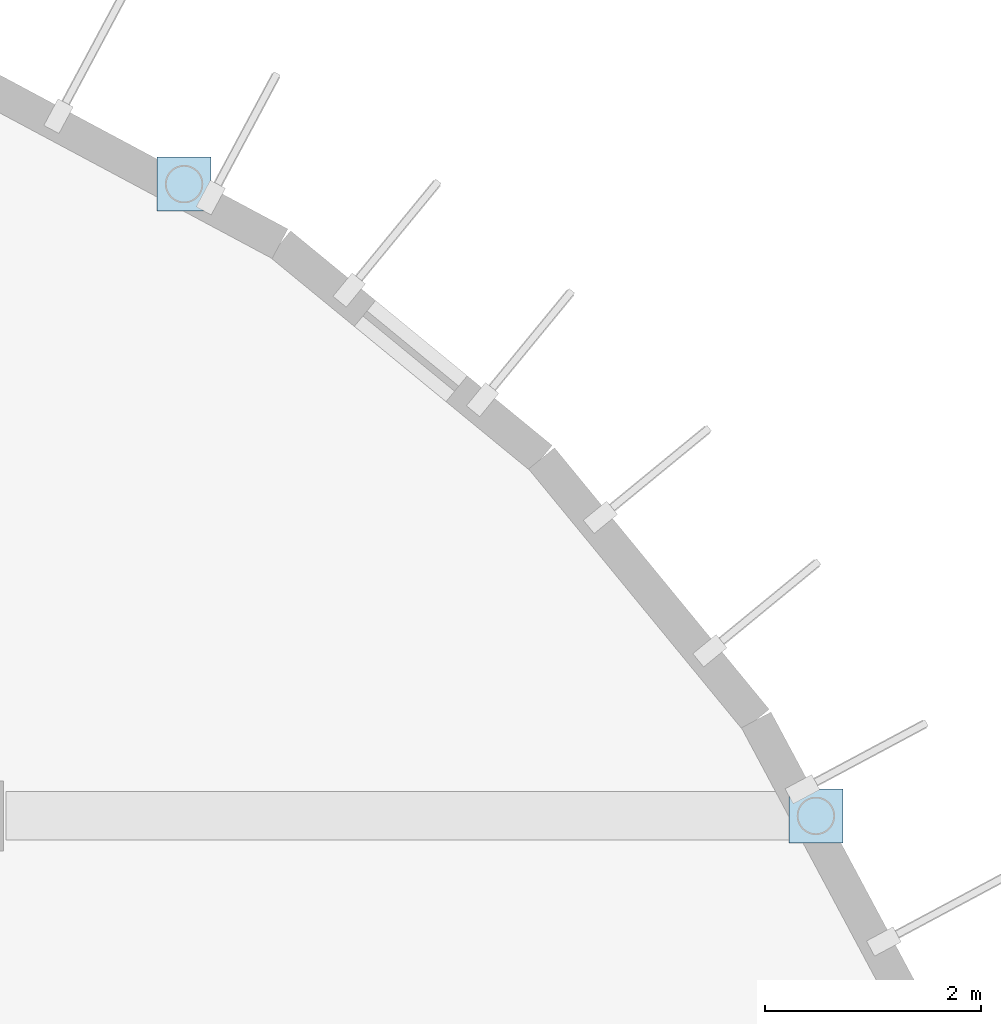
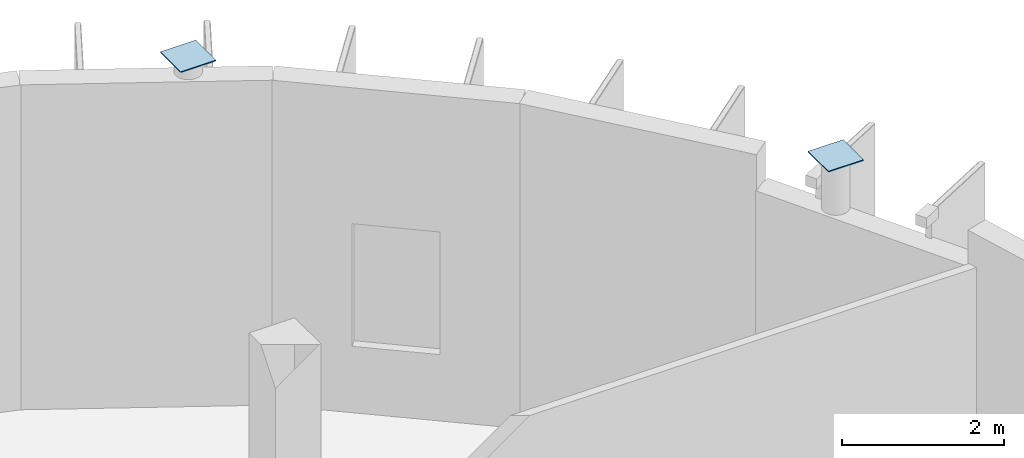
# One storey, part 70 of 103: 2 plates.
"""IFC4 building model written with IfcOpenShell, lengths in metres."""

from ifc_helpers import new_model, si_unit, direction, frame, origin, origin_2d, place, context, subcontext, project, spatial, rectangle, extrude, material, layer, layer_set, type_object, element, save


model = new_model("IFC4")

# Units and contexts
model_context = context("Model", 3, precision=1e-05, world=origin(), true_north=direction((0.0, 1.0)))
body_context = subcontext(model_context, "Body", "Model", "MODEL_VIEW")
ifc_project = project(units=[si_unit("LENGTHUNIT", "METRE"), si_unit("AREAUNIT", "SQUARE_METRE"), si_unit("VOLUMEUNIT", "CUBIC_METRE"), si_unit("PLANEANGLEUNIT", "RADIAN"), si_unit("MASSUNIT", "GRAM", prefix="KILO")], contexts=[model_context])

# Site, building, storey
site_placement = place(None, origin())
site = spatial("IfcSite", under=ifc_project, at=site_placement, CompositionType="ELEMENT")
building_placement = place(site_placement, origin())
building = spatial("IfcBuilding", under=site, at=building_placement, Name="Drelvana Railside Aquatics Centre", CompositionType="ELEMENT")
storey_placement = place(building_placement, origin())
storey = spatial("IfcBuildingStorey", under=building, at=storey_placement, Name="L00", CompositionType="ELEMENT", Elevation=0.0)

# Plates
ifc_material = material(Name="Structural steel S355", Category="steel")
ifc_layer = layer(ifc_material, 0.014892578125, Name="Structural steel S355")
ifc_layer_set = layer_set([ifc_layer], Name="Structural steel S355")
plate_type = type_object("IfcPlateType", Name="STR-PLT-PL-01", PredefinedType="SHEET", material=ifc_layer_set)
for number, where, z_axis, x_axis, name in (
    (1, (181.8564453125, 96.0, 5.11767578125), (0.0, 0.0, 1.0), (1.0, 0.0, 0.0), "Steel bearing cap plate PL-01 #10"),
    (2, (176.0, 101.8564453125, 5.11767578125), (0.0, 0.0, 1.0), (1.0, 0.0, 0.0), "Steel bearing cap plate PL-01 #13"),
):
    element("IfcPlate", number, at=place(storey_placement, frame(where, z_axis=z_axis, x_axis=x_axis)), inside=storey, type_object=plate_type, Name=name, PredefinedType="SHEET", context=body_context, shape_type="SweptSolid", body=[
        extrude(rectangle(XDim=0.5, YDim=0.5, at=origin_2d()), origin(), (0.0, 0.0, 1.0), 0.014892578125),
    ])

save(model, "model.ifc")
